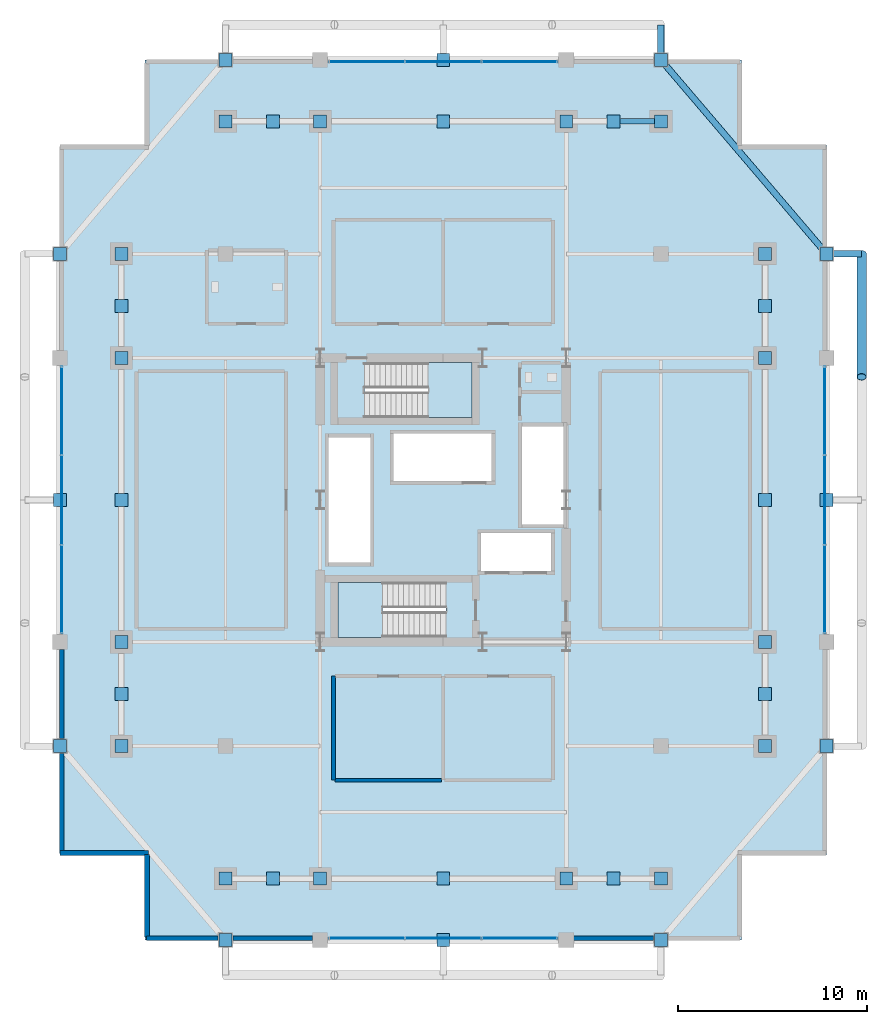
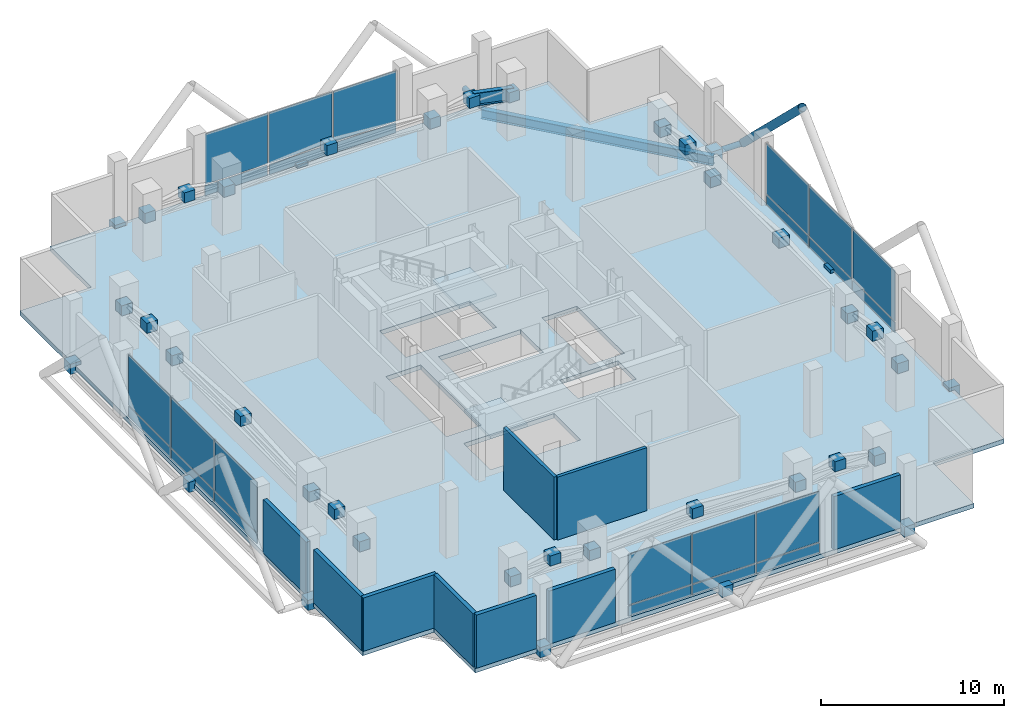
# One storey, part 18 of 22: 64 plates, 9 walls, 4 members, 3 slabs, 1 beam, 6 elements without a shape of their own.
"""IFC4 building model written with IfcOpenShell, lengths in metres."""

from ifc_helpers import new_model, si_unit, direction, frame, frame_2d, origin, origin_2d, place, context, subcontext, project, spatial, polyline, rectangle, hollow_circle, i_section, outline, extrude, material, layer, layer_set, material_profile, profile_set, type_object, element, aggregate, save


model = new_model("IFC4")

# Units and contexts
model_context = context("Model", 3, precision=1e-05, world=origin(), true_north=direction((0.0, 1.0)))
body_context = subcontext(model_context, "Body", "Model", "MODEL_VIEW")
ifc_project = project(units=[si_unit("LENGTHUNIT", "METRE"), si_unit("AREAUNIT", "SQUARE_METRE"), si_unit("VOLUMEUNIT", "CUBIC_METRE"), si_unit("PLANEANGLEUNIT", "RADIAN"), si_unit("MASSUNIT", "GRAM", prefix="KILO")], contexts=[model_context])

# Site, building, storey
site_placement = place(None, origin())
site = spatial("IfcSite", under=ifc_project, at=site_placement, CompositionType="ELEMENT")
building_placement = place(site_placement, origin())
building = spatial("IfcBuilding", under=site, at=building_placement, Name="Barlavira Tower and Art Museum", CompositionType="ELEMENT")
storey_placement = place(building_placement, frame((0.0, 0.0, 120.60009765625)))
storey = spatial("IfcBuildingStorey", under=building, at=storey_placement, Name="L30", CompositionType="ELEMENT", Elevation=120.60009765625)

# Members
ifc_material_1 = material(Name="Steel S355", Category="steel")
ifc_material_profile_1 = material_profile(ifc_material_1, i_section(OverallWidth=0.2939453125, OverallDepth=0.85107421875, WebThickness=0.017333984375, FlangeThickness=0.0283203125, at=origin_2d()), Name="W840x251.0")
ifc_profile_set_1 = profile_set([ifc_material_profile_1], Name="Steel S355")
member_type_1 = type_object("IfcMemberType", Name="Belt Truss Diagonal Brace W840x251 Steel S355", PredefinedType="BRACE", material=ifc_profile_set_1)
member_1_placement = place(storey_placement, frame((9.0, 20.0, 3.14990234375), z_axis=(0.980580675691, 0.0, -0.196116135138), x_axis=(0.0, 1.0, 0.0)))
element("IfcMember", 1, at=member_1_placement, inside=storey, type_object=member_type_1, Name="L30 Belt Truss Diagonal BN3-2", PredefinedType="BRACE", context=body_context, shape_type="SweptSolid", body=[
    extrude(i_section(OverallWidth=0.2939453125, OverallDepth=0.85107421875, WebThickness=0.017333984375, FlangeThickness=0.0283203125, at=origin_2d()), origin(), (0.0, 0.0, 1.0), 2.549560546875),
])
ifc_material_profile_2 = material_profile(ifc_material_1, hollow_circle(Radius=0.25390625, WallThickness=0.022216796875, at=origin_2d()), Name="CHS 508.0x22.2")
ifc_profile_set_2 = profile_set([ifc_material_profile_2], Name="Steel S355")
member_type_2 = type_object("IfcMemberType", Name="Pale-Metal Exoskeleton Diagrid Tube CHS 508x22 Steel S355", PredefinedType="BRACE", material=ifc_profile_set_2)
member_2_placement = place(storey_placement, frame((22.10009765625, 13.0, -0.1201171875), z_axis=(0.0, -0.718064979499, 0.695976066555), x_axis=(1.0, 0.0, 0.0)))
element("IfcMember", 2, at=member_2_placement, inside=storey, type_object=member_type_2, Name="L30 Exoskeleton Diagrid Tube E", PredefinedType="BRACE", context=body_context, shape_type="SweptSolid", body=[
    extrude(hollow_circle(Radius=0.25390625, WallThickness=0.022216796875, at=origin_2d()), origin(), (0.0, 0.0, 1.0), 9.052001953125),
])
ifc_material_profile_3 = material_profile(ifc_material_1, hollow_circle(Radius=0.177734375, WallThickness=0.01611328125, at=origin_2d()), Name="CHS 355.6x16.0")
ifc_profile_set_3 = profile_set([ifc_material_profile_3], Name="Steel S355")
member_type_3 = type_object("IfcMemberType", Name="Pale-Metal Exoskeleton Tie Strut CHS 356x16 Steel S355", PredefinedType="STRUT", material=ifc_profile_set_3)
for number, where, z_axis, x_axis, name in (
    (3, (11.5, 25.10009765625, -0.1201171875), (0.0, -1.0, 0.0), (1.0, 0.0, 0.0), "L30 Exoskeleton Tie Strut N3"),
    (4, (22.10009765625, 13.0, -0.1201171875), (-1.0, 0.0, 0.0), (0.0, -1.0, 0.0), "L30 Exoskeleton Tie Strut E3"),
):
    element("IfcMember", number, at=place(storey_placement, frame(where, z_axis=z_axis, x_axis=x_axis)), inside=storey, type_object=member_type_3, Name=name, PredefinedType="STRUT", context=body_context, shape_type="SweptSolid", body=[
        extrude(hollow_circle(Radius=0.177734375, WallThickness=0.01611328125, at=origin_2d()), origin(), (0.0, 0.0, 1.0), 1.85009765625),
    ])

# Beam
ifc_material_profile_4 = material_profile(ifc_material_1, i_section(OverallWidth=0.327880859375, OverallDepth=0.62890625, WebThickness=0.013916015625, FlangeThickness=0.021484375, at=origin_2d()), Name="W610x174.0")
ifc_profile_set_4 = profile_set([ifc_material_profile_4], Name="Steel S355")
beam_type = type_object("IfcBeamType", Name="Perimeter Spandrel Edge Beam W610x174 Steel S355", PredefinedType="SPANDREL", material=ifc_profile_set_4)
beam_placement = place(storey_placement, frame((20.25, 13.0, -0.614501953125), z_axis=(-0.649262379928, 0.760564502202, 0.0), x_axis=(-0.760564502202, -0.649262379928, 0.0)))
element("IfcBeam", 5, at=beam_placement, inside=storey, type_object=beam_type, Name="L30 Spandrel 8", PredefinedType="SPANDREL", context=body_context, shape_type="SweptSolid", body=[
    extrude(i_section(OverallWidth=0.327880859375, OverallDepth=0.62890625, WebThickness=0.013916015625, FlangeThickness=0.021484375, at=origin_2d()), origin(), (0.0, 0.0, 1.0), 13.476806640625),
])

# Curtain wall, plates
ifc_material_2 = material(Name="Low-iron coastal laminated glass", Category="glass")
ifc_layer_1 = layer(ifc_material_2, 0.18994140625, Name="Low-iron coastal laminated glass")
ifc_layer_set_1 = layer_set([ifc_layer_1], Name="Low-iron coastal laminated glass")
curtain_wall_type = type_object("IfcCurtainWallType", Name="Pale-Metal Unitised Curtain Wall Zone 2", PredefinedType="NOTDEFINED", material=ifc_layer_set_1)
curtain_wall_1_placement = place(storey_placement, origin())
curtain_wall_1 = element("IfcCurtainWall", 6, at=curtain_wall_1_placement, inside=storey, type_object=curtain_wall_type, Name="L30 Curtain Wall CW2-L30-S-B3", PredefinedType="NOTDEFINED")
ifc_material_3 = material(Name="Pale anodised aluminium", Category="aluminium")
ifc_layer_2 = layer(ifc_material_3, 0.044921875, Name="Pale anodised aluminium")
ifc_layer_set_2 = layer_set([ifc_layer_2], Name="Pale anodised aluminium")
plate_type_1 = type_object("IfcPlateType", Name="Curtain Wall Pale-Metal Spandrel Panel 45", PredefinedType="CURTAIN_PANEL", material=ifc_layer_set_2)
plate_1_placement = place(storey_placement, frame((-4.05322265625, -23.14990234375, 0.0400390625), z_axis=(0.0, 0.0, 1.0), x_axis=(1.0, 0.0, 0.0)))
plate_1 = element("IfcPlate", 7, at=plate_1_placement, type_object=plate_type_1, Name="CW2-L30-S-B3 Spandrel Panel 0", PredefinedType="CURTAIN_PANEL", context=body_context, shape_type="SweptSolid", body=[
    extrude(rectangle(XDim=3.953369140625, YDim=0.044921875, at=origin_2d()), origin(), (0.0, 0.0, 1.0), 0.669921875),
])
plate_2_placement = place(storey_placement, frame((0.0, -23.14990234375, 0.0400390625), z_axis=(0.0, 0.0, 1.0), x_axis=(1.0, 0.0, 0.0)))
plate_2 = element("IfcPlate", 8, at=plate_2_placement, type_object=plate_type_1, Name="CW2-L30-S-B3 Spandrel Panel 1", PredefinedType="CURTAIN_PANEL", context=body_context, shape_type="SweptSolid", body=[
    extrude(rectangle(XDim=3.953369140625, YDim=0.044921875, at=origin_2d()), origin(), (0.0, 0.0, 1.0), 0.669921875),
])
plate_3_placement = place(storey_placement, frame((4.05322265625, -23.14990234375, 0.0400390625), z_axis=(0.0, 0.0, 1.0), x_axis=(1.0, 0.0, 0.0)))
plate_3 = element("IfcPlate", 9, at=plate_3_placement, type_object=plate_type_1, Name="CW2-L30-S-B3 Spandrel Panel 2", PredefinedType="CURTAIN_PANEL", context=body_context, shape_type="SweptSolid", body=[
    extrude(rectangle(XDim=3.953369140625, YDim=0.044921875, at=origin_2d()), origin(), (0.0, 0.0, 1.0), 0.669921875),
])

curtain_wall_2_placement = place(storey_placement, origin())
curtain_wall_2 = element("IfcCurtainWall", 10, at=curtain_wall_2_placement, inside=storey, type_object=curtain_wall_type, Name="L30 Curtain Wall CW2-L30-N-B3", PredefinedType="NOTDEFINED")
plate_4_placement = place(storey_placement, frame((4.05322265625, 23.14990234375, 0.0400390625), z_axis=(0.0, 0.0, 1.0), x_axis=(-1.0, 0.0, 0.0)))
plate_4 = element("IfcPlate", 11, at=plate_4_placement, type_object=plate_type_1, Name="CW2-L30-N-B3 Spandrel Panel 0", PredefinedType="CURTAIN_PANEL", context=body_context, shape_type="SweptSolid", body=[
    extrude(rectangle(XDim=3.953369140625, YDim=0.044921875, at=origin_2d()), origin(), (0.0, 0.0, 1.0), 0.669921875),
])
plate_5_placement = place(storey_placement, frame((0.0, 23.14990234375, 0.0400390625), z_axis=(0.0, 0.0, 1.0), x_axis=(-1.0, 0.0, 0.0)))
plate_5 = element("IfcPlate", 12, at=plate_5_placement, type_object=plate_type_1, Name="CW2-L30-N-B3 Spandrel Panel 1", PredefinedType="CURTAIN_PANEL", context=body_context, shape_type="SweptSolid", body=[
    extrude(rectangle(XDim=3.953369140625, YDim=0.044921875, at=origin_2d()), origin(), (0.0, 0.0, 1.0), 0.669921875),
])
plate_6_placement = place(storey_placement, frame((-4.05322265625, 23.14990234375, 0.0400390625), z_axis=(0.0, 0.0, 1.0), x_axis=(-1.0, 0.0, 0.0)))
plate_6 = element("IfcPlate", 13, at=plate_6_placement, type_object=plate_type_1, Name="CW2-L30-N-B3 Spandrel Panel 2", PredefinedType="CURTAIN_PANEL", context=body_context, shape_type="SweptSolid", body=[
    extrude(rectangle(XDim=3.953369140625, YDim=0.044921875, at=origin_2d()), origin(), (0.0, 0.0, 1.0), 0.669921875),
])

curtain_wall_3_placement = place(storey_placement, origin())
curtain_wall_3 = element("IfcCurtainWall", 14, at=curtain_wall_3_placement, inside=storey, type_object=curtain_wall_type, Name="L30 Curtain Wall CW2-L30-W-B3", PredefinedType="NOTDEFINED")
plate_7_placement = place(storey_placement, frame((-20.14990234375, 4.719970703125, 0.0400390625), z_axis=(0.0, 0.0, 1.0), x_axis=(0.0, -1.0, 0.0)))
plate_7 = element("IfcPlate", 15, at=plate_7_placement, type_object=plate_type_1, Name="CW2-L30-W-B3 Spandrel Panel 0", PredefinedType="CURTAIN_PANEL", context=body_context, shape_type="SweptSolid", body=[
    extrude(rectangle(XDim=4.6201171875, YDim=0.044921875, at=origin_2d()), origin(), (0.0, 0.0, 1.0), 0.669921875),
])
plate_8_placement = place(storey_placement, frame((-20.14990234375, 0.0, 0.0400390625), z_axis=(0.0, 0.0, 1.0), x_axis=(0.0, -1.0, 0.0)))
plate_8 = element("IfcPlate", 16, at=plate_8_placement, type_object=plate_type_1, Name="CW2-L30-W-B3 Spandrel Panel 1", PredefinedType="CURTAIN_PANEL", context=body_context, shape_type="SweptSolid", body=[
    extrude(rectangle(XDim=4.6201171875, YDim=0.044921875, at=origin_2d()), origin(), (0.0, 0.0, 1.0), 0.669921875),
])
plate_9_placement = place(storey_placement, frame((-20.14990234375, -4.719970703125, 0.0400390625), z_axis=(0.0, 0.0, 1.0), x_axis=(0.0, -1.0, 0.0)))
plate_9 = element("IfcPlate", 17, at=plate_9_placement, type_object=plate_type_1, Name="CW2-L30-W-B3 Spandrel Panel 2", PredefinedType="CURTAIN_PANEL", context=body_context, shape_type="SweptSolid", body=[
    extrude(rectangle(XDim=4.6201171875, YDim=0.044921875, at=origin_2d()), origin(), (0.0, 0.0, 1.0), 0.669921875),
])

curtain_wall_4_placement = place(storey_placement, origin())
curtain_wall_4 = element("IfcCurtainWall", 18, at=curtain_wall_4_placement, inside=storey, type_object=curtain_wall_type, Name="L30 Curtain Wall CW2-L30-E-B3", PredefinedType="NOTDEFINED")
plate_10_placement = place(storey_placement, frame((20.14990234375, -4.719970703125, 0.0400390625), z_axis=(0.0, 0.0, 1.0), x_axis=(0.0, 1.0, 0.0)))
plate_10 = element("IfcPlate", 19, at=plate_10_placement, type_object=plate_type_1, Name="CW2-L30-E-B3 Spandrel Panel 0", PredefinedType="CURTAIN_PANEL", context=body_context, shape_type="SweptSolid", body=[
    extrude(rectangle(XDim=4.6201171875, YDim=0.044921875, at=origin_2d()), origin(), (0.0, 0.0, 1.0), 0.669921875),
])
plate_11_placement = place(storey_placement, frame((20.14990234375, 0.0, 0.0400390625), z_axis=(0.0, 0.0, 1.0), x_axis=(0.0, 1.0, 0.0)))
plate_11 = element("IfcPlate", 20, at=plate_11_placement, type_object=plate_type_1, Name="CW2-L30-E-B3 Spandrel Panel 1", PredefinedType="CURTAIN_PANEL", context=body_context, shape_type="SweptSolid", body=[
    extrude(rectangle(XDim=4.6201171875, YDim=0.044921875, at=origin_2d()), origin(), (0.0, 0.0, 1.0), 0.669921875),
])
plate_12_placement = place(storey_placement, frame((20.14990234375, 4.719970703125, 0.0400390625), z_axis=(0.0, 0.0, 1.0), x_axis=(0.0, 1.0, 0.0)))
plate_12 = element("IfcPlate", 21, at=plate_12_placement, type_object=plate_type_1, Name="CW2-L30-E-B3 Spandrel Panel 2", PredefinedType="CURTAIN_PANEL", context=body_context, shape_type="SweptSolid", body=[
    extrude(rectangle(XDim=4.6201171875, YDim=0.044921875, at=origin_2d()), origin(), (0.0, 0.0, 1.0), 0.669921875),
])

# Plate
ifc_layer_3 = layer(ifc_material_2, 0.028076171875, Name="Low-iron coastal laminated glass")
ifc_layer_set_3 = layer_set([ifc_layer_3], Name="Low-iron coastal laminated glass")
plate_type_2 = type_object("IfcPlateType", Name="Curtain Wall Vision Glazing Panel 28", PredefinedType="CURTAIN_PANEL", material=ifc_layer_set_3)
plate_13_placement = place(storey_placement, frame((-4.05322265625, -23.14990234375, 0.789794921875), z_axis=(0.0, 0.0, 1.0), x_axis=(1.0, 0.0, 0.0)))
plate_13 = element("IfcPlate", 22, at=plate_13_placement, type_object=plate_type_2, Name="CW2-L30-S-B3 Vision Glass Panel 0", PredefinedType="CURTAIN_PANEL", context=body_context, shape_type="SweptSolid", body=[
    extrude(rectangle(XDim=3.953369140625, YDim=0.028076171875, at=origin_2d()), origin(), (0.0, 0.0, 1.0), 3.3701171875),
])

plate_14_placement = place(storey_placement, frame((0.0, -23.14990234375, 0.789794921875), z_axis=(0.0, 0.0, 1.0), x_axis=(1.0, 0.0, 0.0)))
plate_14 = element("IfcPlate", 23, at=plate_14_placement, type_object=plate_type_2, Name="CW2-L30-S-B3 Vision Glass Panel 1", PredefinedType="CURTAIN_PANEL", context=body_context, shape_type="SweptSolid", body=[
    extrude(rectangle(XDim=3.953369140625, YDim=0.028076171875, at=origin_2d()), origin(), (0.0, 0.0, 1.0), 3.3701171875),
])

plate_15_placement = place(storey_placement, frame((4.05322265625, -23.14990234375, 0.789794921875), z_axis=(0.0, 0.0, 1.0), x_axis=(1.0, 0.0, 0.0)))
plate_15 = element("IfcPlate", 24, at=plate_15_placement, type_object=plate_type_2, Name="CW2-L30-S-B3 Vision Glass Panel 2", PredefinedType="CURTAIN_PANEL", context=body_context, shape_type="SweptSolid", body=[
    extrude(rectangle(XDim=3.953369140625, YDim=0.028076171875, at=origin_2d()), origin(), (0.0, 0.0, 1.0), 3.3701171875),
])

aggregate(curtain_wall_1, [plate_1, plate_13, plate_2, plate_14, plate_3, plate_15])

plate_16_placement = place(storey_placement, frame((4.05322265625, 23.14990234375, 0.789794921875), z_axis=(0.0, 0.0, 1.0), x_axis=(-1.0, 0.0, 0.0)))
plate_16 = element("IfcPlate", 25, at=plate_16_placement, type_object=plate_type_2, Name="CW2-L30-N-B3 Vision Glass Panel 0", PredefinedType="CURTAIN_PANEL", context=body_context, shape_type="SweptSolid", body=[
    extrude(rectangle(XDim=3.953369140625, YDim=0.028076171875, at=origin_2d()), origin(), (0.0, 0.0, 1.0), 3.3701171875),
])

plate_17_placement = place(storey_placement, frame((0.0, 23.14990234375, 0.789794921875), z_axis=(0.0, 0.0, 1.0), x_axis=(-1.0, 0.0, 0.0)))
plate_17 = element("IfcPlate", 26, at=plate_17_placement, type_object=plate_type_2, Name="CW2-L30-N-B3 Vision Glass Panel 1", PredefinedType="CURTAIN_PANEL", context=body_context, shape_type="SweptSolid", body=[
    extrude(rectangle(XDim=3.953369140625, YDim=0.028076171875, at=origin_2d()), origin(), (0.0, 0.0, 1.0), 3.3701171875),
])

plate_18_placement = place(storey_placement, frame((-4.05322265625, 23.14990234375, 0.789794921875), z_axis=(0.0, 0.0, 1.0), x_axis=(-1.0, 0.0, 0.0)))
plate_18 = element("IfcPlate", 27, at=plate_18_placement, type_object=plate_type_2, Name="CW2-L30-N-B3 Vision Glass Panel 2", PredefinedType="CURTAIN_PANEL", context=body_context, shape_type="SweptSolid", body=[
    extrude(rectangle(XDim=3.953369140625, YDim=0.028076171875, at=origin_2d()), origin(), (0.0, 0.0, 1.0), 3.3701171875),
])

aggregate(curtain_wall_2, [plate_4, plate_16, plate_5, plate_17, plate_6, plate_18])

plate_19_placement = place(storey_placement, frame((-20.14990234375, 4.719970703125, 0.789794921875), z_axis=(0.0, 0.0, 1.0), x_axis=(0.0, -1.0, 0.0)))
plate_19 = element("IfcPlate", 28, at=plate_19_placement, type_object=plate_type_2, Name="CW2-L30-W-B3 Vision Glass Panel 0", PredefinedType="CURTAIN_PANEL", context=body_context, shape_type="SweptSolid", body=[
    extrude(rectangle(XDim=4.6201171875, YDim=0.028076171875, at=origin_2d()), origin(), (0.0, 0.0, 1.0), 3.3701171875),
])

plate_20_placement = place(storey_placement, frame((-20.14990234375, 0.0, 0.789794921875), z_axis=(0.0, 0.0, 1.0), x_axis=(0.0, -1.0, 0.0)))
plate_20 = element("IfcPlate", 29, at=plate_20_placement, type_object=plate_type_2, Name="CW2-L30-W-B3 Vision Glass Panel 1", PredefinedType="CURTAIN_PANEL", context=body_context, shape_type="SweptSolid", body=[
    extrude(rectangle(XDim=4.6201171875, YDim=0.028076171875, at=origin_2d()), origin(), (0.0, 0.0, 1.0), 3.3701171875),
])

plate_21_placement = place(storey_placement, frame((-20.14990234375, -4.719970703125, 0.789794921875), z_axis=(0.0, 0.0, 1.0), x_axis=(0.0, -1.0, 0.0)))
plate_21 = element("IfcPlate", 30, at=plate_21_placement, type_object=plate_type_2, Name="CW2-L30-W-B3 Vision Glass Panel 2", PredefinedType="CURTAIN_PANEL", context=body_context, shape_type="SweptSolid", body=[
    extrude(rectangle(XDim=4.6201171875, YDim=0.028076171875, at=origin_2d()), origin(), (0.0, 0.0, 1.0), 3.3701171875),
])

aggregate(curtain_wall_3, [plate_7, plate_19, plate_8, plate_20, plate_9, plate_21])

plate_22_placement = place(storey_placement, frame((20.14990234375, -4.719970703125, 0.789794921875), z_axis=(0.0, 0.0, 1.0), x_axis=(0.0, 1.0, 0.0)))
plate_22 = element("IfcPlate", 31, at=plate_22_placement, type_object=plate_type_2, Name="CW2-L30-E-B3 Vision Glass Panel 0", PredefinedType="CURTAIN_PANEL", context=body_context, shape_type="SweptSolid", body=[
    extrude(rectangle(XDim=4.6201171875, YDim=0.028076171875, at=origin_2d()), origin(), (0.0, 0.0, 1.0), 3.3701171875),
])

plate_23_placement = place(storey_placement, frame((20.14990234375, 0.0, 0.789794921875), z_axis=(0.0, 0.0, 1.0), x_axis=(0.0, 1.0, 0.0)))
plate_23 = element("IfcPlate", 32, at=plate_23_placement, type_object=plate_type_2, Name="CW2-L30-E-B3 Vision Glass Panel 1", PredefinedType="CURTAIN_PANEL", context=body_context, shape_type="SweptSolid", body=[
    extrude(rectangle(XDim=4.6201171875, YDim=0.028076171875, at=origin_2d()), origin(), (0.0, 0.0, 1.0), 3.3701171875),
])

plate_24_placement = place(storey_placement, frame((20.14990234375, 4.719970703125, 0.789794921875), z_axis=(0.0, 0.0, 1.0), x_axis=(0.0, 1.0, 0.0)))
plate_24 = element("IfcPlate", 33, at=plate_24_placement, type_object=plate_type_2, Name="CW2-L30-E-B3 Vision Glass Panel 2", PredefinedType="CURTAIN_PANEL", context=body_context, shape_type="SweptSolid", body=[
    extrude(rectangle(XDim=4.6201171875, YDim=0.028076171875, at=origin_2d()), origin(), (0.0, 0.0, 1.0), 3.3701171875),
])

aggregate(curtain_wall_4, [plate_10, plate_22, plate_11, plate_23, plate_12, plate_24])

# Plates
ifc_layer_4 = layer(ifc_material_1, 0.679931640625, Name="Steel S355")
ifc_layer_set_4 = layer_set([ifc_layer_4], Name="Steel S355")
plate_type_3 = type_object("IfcPlateType", Name="Exoskeleton Tie-Back Solid Cap Plate Assembly Type 5 Steel S355", PredefinedType="USERDEFINED", material=ifc_layer_set_4)
for number, where, z_axis, x_axis, name in (
    (34, (-11.5, -20.0, 2.31005859375), (0.0, 0.0, 1.0), (1.0, 0.0, 0.0), "L30 Belt Truss BS1 Gusset Plate 61"),
    (35, (-6.5, -20.0, 2.31005859375), (0.0, 0.0, 1.0), (1.0, 0.0, 0.0), "L30 Belt Truss BS1 Gusset Plate 62"),
    (36, (-9.0, -20.0, 2.81005859375), (0.0, 0.0, 1.0), (1.0, 0.0, 0.0), "L30 Belt Truss BS1 Gusset Plate 63"),
    (37, (6.5, -20.0, 2.31005859375), (0.0, 0.0, 1.0), (1.0, 0.0, 0.0), "L30 Belt Truss BS2 Gusset Plate 64"),
    (38, (0.0, -20.0, 2.81005859375), (0.0, 0.0, 1.0), (1.0, 0.0, 0.0), "L30 Belt Truss BS2 Gusset Plate 65"),
    (39, (11.5, -20.0, 2.31005859375), (0.0, 0.0, 1.0), (1.0, 0.0, 0.0), "L30 Belt Truss BS3 Gusset Plate 66"),
    (40, (9.0, -20.0, 2.81005859375), (0.0, 0.0, 1.0), (1.0, 0.0, 0.0), "L30 Belt Truss BS3 Gusset Plate 67"),
    (41, (-11.5, 20.0, 2.31005859375), (0.0, 0.0, 1.0), (1.0, 0.0, 0.0), "L30 Belt Truss BN1 Gusset Plate 68"),
    (42, (-6.5, 20.0, 2.31005859375), (0.0, 0.0, 1.0), (1.0, 0.0, 0.0), "L30 Belt Truss BN1 Gusset Plate 69"),
    (43, (-9.0, 20.0, 2.81005859375), (0.0, 0.0, 1.0), (1.0, 0.0, 0.0), "L30 Belt Truss BN1 Gusset Plate 70"),
    (44, (6.5, 20.0, 2.31005859375), (0.0, 0.0, 1.0), (1.0, 0.0, 0.0), "L30 Belt Truss BN2 Gusset Plate 71"),
    (45, (0.0, 20.0, 2.81005859375), (0.0, 0.0, 1.0), (1.0, 0.0, 0.0), "L30 Belt Truss BN2 Gusset Plate 72"),
    (46, (11.5, 20.0, 2.31005859375), (0.0, 0.0, 1.0), (1.0, 0.0, 0.0), "L30 Belt Truss BN3 Gusset Plate 73"),
    (47, (9.0, 20.0, 2.81005859375), (0.0, 0.0, 1.0), (1.0, 0.0, 0.0), "L30 Belt Truss BN3 Gusset Plate 74"),
    (48, (-17.0, -13.0, 2.31005859375), (0.0, 0.0, 1.0), (1.0, 0.0, 0.0), "L30 Belt Truss BW1 Gusset Plate 75"),
    (49, (-17.0, -7.5, 2.31005859375), (0.0, 0.0, 1.0), (1.0, 0.0, 0.0), "L30 Belt Truss BW1 Gusset Plate 76"),
    (50, (-17.0, -10.25, 2.81005859375), (0.0, 0.0, 1.0), (1.0, 0.0, 0.0), "L30 Belt Truss BW1 Gusset Plate 77"),
    (51, (-17.0, 7.5, 2.31005859375), (0.0, 0.0, 1.0), (1.0, 0.0, 0.0), "L30 Belt Truss BW2 Gusset Plate 78"),
    (52, (-17.0, 0.0, 2.81005859375), (0.0, 0.0, 1.0), (1.0, 0.0, 0.0), "L30 Belt Truss BW2 Gusset Plate 79"),
    (53, (-17.0, 13.0, 2.31005859375), (0.0, 0.0, 1.0), (1.0, 0.0, 0.0), "L30 Belt Truss BW3 Gusset Plate 80"),
    (54, (-17.0, 10.25, 2.81005859375), (0.0, 0.0, 1.0), (1.0, 0.0, 0.0), "L30 Belt Truss BW3 Gusset Plate 81"),
    (55, (17.0, -13.0, 2.31005859375), (0.0, 0.0, 1.0), (1.0, 0.0, 0.0), "L30 Belt Truss BE1 Gusset Plate 82"),
    (56, (17.0, -7.5, 2.31005859375), (0.0, 0.0, 1.0), (1.0, 0.0, 0.0), "L30 Belt Truss BE1 Gusset Plate 83"),
    (57, (17.0, -10.25, 2.81005859375), (0.0, 0.0, 1.0), (1.0, 0.0, 0.0), "L30 Belt Truss BE1 Gusset Plate 84"),
    (58, (17.0, 7.5, 2.31005859375), (0.0, 0.0, 1.0), (1.0, 0.0, 0.0), "L30 Belt Truss BE2 Gusset Plate 85"),
    (59, (17.0, 0.0, 2.81005859375), (0.0, 0.0, 1.0), (1.0, 0.0, 0.0), "L30 Belt Truss BE2 Gusset Plate 86"),
    (60, (17.0, 13.0, 2.31005859375), (0.0, 0.0, 1.0), (1.0, 0.0, 0.0), "L30 Belt Truss BE3 Gusset Plate 87"),
    (61, (17.0, 10.25, 2.81005859375), (0.0, 0.0, 1.0), (1.0, 0.0, 0.0), "L30 Belt Truss BE3 Gusset Plate 88"),
    (62, (-11.5, -23.25, -0.4599609375), (0.0, 0.0, 1.0), (1.0, 0.0, 0.0), "Slab Edge Tie Cap Plate S1 ND-L30-0318"),
    (63, (0.0, -23.25, -0.4599609375), (0.0, 0.0, 1.0), (1.0, 0.0, 0.0), "Slab Edge Tie Cap Plate S2 ND-L30-0319"),
    (64, (11.5, -23.25, -0.4599609375), (0.0, 0.0, 1.0), (1.0, 0.0, 0.0), "Slab Edge Tie Cap Plate S3 ND-L30-0320"),
    (65, (-11.5, 23.25, -0.4599609375), (0.0, 0.0, 1.0), (1.0, 0.0, 0.0), "Slab Edge Tie Cap Plate N1 ND-L30-0326"),
    (66, (0.0, 23.25, -0.4599609375), (0.0, 0.0, 1.0), (1.0, 0.0, 0.0), "Slab Edge Tie Cap Plate N2 ND-L30-0327"),
    (67, (11.5, 23.25, -0.4599609375), (0.0, 0.0, 1.0), (1.0, 0.0, 0.0), "Slab Edge Tie Cap Plate N3 ND-L30-0328"),
    (68, (-20.25, -13.0, -0.4599609375), (0.0, 0.0, 1.0), (1.0, 0.0, 0.0), "Slab Edge Tie Cap Plate W1 ND-L30-0334"),
    (69, (-20.25, 0.0, -0.4599609375), (0.0, 0.0, 1.0), (1.0, 0.0, 0.0), "Slab Edge Tie Cap Plate W2 ND-L30-0335"),
    (70, (-20.25, 13.0, -0.4599609375), (0.0, 0.0, 1.0), (1.0, 0.0, 0.0), "Slab Edge Tie Cap Plate W3 ND-L30-0336"),
    (71, (20.25, -13.0, -0.4599609375), (0.0, 0.0, 1.0), (1.0, 0.0, 0.0), "Slab Edge Tie Cap Plate E1 ND-L30-0342"),
    (72, (20.25, 0.0, -0.4599609375), (0.0, 0.0, 1.0), (1.0, 0.0, 0.0), "Slab Edge Tie Cap Plate E2 ND-L30-0343"),
    (73, (20.25, 13.0, -0.4599609375), (0.0, 0.0, 1.0), (1.0, 0.0, 0.0), "Slab Edge Tie Cap Plate E3 ND-L30-0344"),
):
    element("IfcPlate", number, at=place(storey_placement, frame(where, z_axis=z_axis, x_axis=x_axis)), inside=storey, type_object=plate_type_3, Name=name, ObjectType="FLANGE_PLATE", PredefinedType="USERDEFINED", context=body_context, shape_type="SweptSolid", body=[
        extrude(rectangle(XDim=0.679931640625, YDim=0.679931640625, at=origin_2d()), origin(), (0.0, 0.0, 1.0), 0.679931640625),
    ])

# Slab
ifc_material_4 = material(Name="Concrete C55", Category="concrete")
ifc_layer_5 = layer(ifc_material_4, 0.300048828125, Name="Concrete C55")
ifc_layer_set_5 = layer_set([ifc_layer_5], Name="Concrete C55")
slab_type_1 = type_object("IfcSlabType", Name="Sky-Lobby and Wind-Refuge Heavy Slab 300 Concrete C55", PredefinedType="FLOOR", material=ifc_layer_set_5)
slab_1_placement = place(storey_placement, frame((0.0, 0.0, -0.300048828125)))
element("IfcSlab", 74, at=slab_1_placement, inside=storey, type_object=slab_type_1, Name="L30 Tower Floor Slab", PredefinedType="FLOOR", context=body_context, shape_type="SweptSolid", body=[
    extrude(outline(polyline([(-15.75, -23.25), (15.75, -23.25), (15.75, -18.75), (20.25, -18.75), (20.25, 18.75), (15.75, 18.75), (15.75, 23.25), (-15.75, 23.25), (-15.75, 18.75), (-20.25, 18.75), (-20.25, -18.75), (-15.75, -18.75), (-15.75, -23.25)]), holes=[polyline([(0.14990234375, -4.35009765625), (-5.550048828125, -4.35009765625), (-5.550048828125, -7.25), (0.14990234375, -7.25), (0.14990234375, -4.35009765625)]), polyline([(-4.169921875, 4.35009765625), (1.530029296875, 4.35009765625), (1.530029296875, 7.25), (-4.169921875, 7.25), (-4.169921875, 4.35009765625)]), polyline([(-6.050048828125, -3.31005859375), (-3.85009765625, -3.31005859375), (-3.85009765625, 3.31005859375), (-6.050048828125, 3.31005859375), (-6.050048828125, -3.31005859375)]), polyline([(4.14990234375, -1.2900390625), (6.35009765625, -1.2900390625), (6.35009765625, 3.889892578125), (4.14990234375, 3.889892578125), (4.14990234375, -1.2900390625)]), polyline([(-2.6201171875, 1.0), (2.56005859375, 1.0), (2.56005859375, 3.5), (-2.6201171875, 3.5), (-2.6201171875, 1.0)]), polyline([(2.0, -3.75), (5.699951171875, -3.75), (5.699951171875, -1.75), (2.0, -1.75), (2.0, -3.75)])]), origin(), (0.0, 0.0, 1.0), 0.300048828125),
])

# Stair, slab
ifc_material_5 = material(Name="Concrete C45", Category="concrete")
stair_type_1 = type_object("IfcStairType", Name="Tower North Dog-Leg Exit Stair Assembly Concrete C45", PredefinedType="TWO_QUARTER_TURN_STAIR", material=ifc_material_5)
stair_1_placement = place(storey_placement, origin())
stair_1 = element("IfcStair", 75, at=stair_1_placement, inside=storey, type_object=stair_type_1, Name="L30 Tower North Exit Stair ST-T2", PredefinedType="TWO_QUARTER_TURN_STAIR")
ifc_layer_6 = layer(ifc_material_5, 0.199951171875, Name="Concrete C45")
ifc_layer_set_6 = layer_set([ifc_layer_6], Name="Concrete C45")
slab_type_2 = type_object("IfcSlabType", Name="Tower North Dog-Leg Exit Stair Half-Landing Slab 200 Concrete C45", PredefinedType="LANDING", material=ifc_layer_set_6)
slab_2_placement = place(storey_placement, frame((0.0, 0.0, 2.0498046875)))
slab_2 = element("IfcSlab", 76, at=slab_2_placement, type_object=slab_type_2, Name="ST-T2 landing 1", PredefinedType="LANDING", context=body_context, shape_type="SweptSolid", body=[
    extrude(outline(polyline([(-0.81005859375, 4.35009765625), (1.530029296875, 4.35009765625), (1.530029296875, 7.25), (-0.81005859375, 7.25), (-0.81005859375, 4.35009765625)])), origin(), (0.0, 0.0, 1.0), 0.2001953125),
])
aggregate(stair_1, [slab_2])

stair_type_2 = type_object("IfcStairType", Name="Tower South Dog-Leg Exit Stair Assembly Concrete C45", PredefinedType="TWO_QUARTER_TURN_STAIR", material=ifc_material_5)
stair_2_placement = place(storey_placement, origin())
stair_2 = element("IfcStair", 77, at=stair_2_placement, inside=storey, type_object=stair_type_2, Name="L30 Tower South Exit Stair ST-T1", PredefinedType="TWO_QUARTER_TURN_STAIR")
ifc_layer_7 = layer(ifc_material_5, 0.199951171875, Name="Concrete C45")
ifc_layer_set_7 = layer_set([ifc_layer_7], Name="Concrete C45")
slab_type_3 = type_object("IfcSlabType", Name="Tower South Dog-Leg Exit Stair Half-Landing Slab 200 Concrete C45", PredefinedType="LANDING", material=ifc_layer_set_7)
slab_3_placement = place(storey_placement, frame((0.0, 0.0, 2.0498046875)))
slab_3 = element("IfcSlab", 78, at=slab_3_placement, type_object=slab_type_3, Name="ST-T1 landing 1", PredefinedType="LANDING", context=body_context, shape_type="SweptSolid", body=[
    extrude(outline(polyline([(-3.2099609375, -4.35009765625), (-5.550048828125, -4.35009765625), (-5.550048828125, -7.25), (-3.2099609375, -7.25), (-3.2099609375, -4.35009765625)])), origin(), (0.0, 0.0, 1.0), 0.2001953125),
])
aggregate(stair_2, [slab_3])

# Walls
ifc_material_6 = material(Name="Autoclaved aerated concrete masonry", Category="masonry")
ifc_layer_8 = layer(ifc_material_6, 0.199951171875, Name="Autoclaved aerated concrete masonry")
ifc_layer_set_8 = layer_set([ifc_layer_8], Name="Autoclaved aerated concrete masonry")
wall_type_1 = type_object("IfcWallType", Name="Fire Compartment and Shaft Wall 200", PredefinedType="SOLIDWALL", material=ifc_layer_set_8)
wall_1_placement = place(storey_placement, frame((-5.800048828125, -14.800048828125, 0.0), z_axis=(0.0, 0.0, 1.0), x_axis=(0.0, 1.0, 0.0)))
element("IfcWall", 79, at=wall_1_placement, inside=storey, type_object=wall_type_1, Name="L30 Partition Wall 5", PredefinedType="SOLIDWALL", context=body_context, shape_type="SweptSolid", body=[
    extrude(rectangle(XDim=5.5, YDim=0.199951171875, at=frame_2d((2.75, 0.0))), origin(), (0.0, 0.0, 1.0), 4.199951171875),
])
wall_2_placement = place(storey_placement, frame((-5.719970703125, -14.800048828125, 0.0), z_axis=(0.0, 0.0, 1.0), x_axis=(1.0, 0.0, 0.0)))
element("IfcWall", 80, at=wall_2_placement, inside=storey, type_object=wall_type_1, Name="L30 Partition Wall 14", PredefinedType="SOLIDWALL", context=body_context, shape_type="SweptSolid", body=[
    extrude(rectangle(XDim=5.639892578125, YDim=0.199951171875, at=frame_2d((2.81982421875, 0.0))), origin(), (0.0, 0.0, 1.0), 4.199951171875),
])
ifc_material_7 = material(Name="Precast concrete C40", Category="concrete")
ifc_layer_9 = layer(ifc_material_7, 0.25, Name="Precast concrete C40")
ifc_layer_set_9 = layer_set([ifc_layer_9], Name="Precast concrete C40")
wall_type_2 = type_object("IfcWallType", Name="Notched Corner Spandrel Wall 250 Precast Concrete C40", PredefinedType="SOLIDWALL", material=ifc_layer_set_9)
wall_3_placement = place(storey_placement, frame((-15.675048828125, -23.14990234375, 0.0), z_axis=(0.0, 0.0, 1.0), x_axis=(1.0, 0.0, 0.0)))
element("IfcWall", 81, at=wall_3_placement, inside=storey, type_object=wall_type_2, Name="L30 Coastal Facade Pier Wall CW2-L30-S-1", PredefinedType="SOLIDWALL", context=body_context, shape_type="SweptSolid", body=[
    extrude(rectangle(XDim=3.780029296875, YDim=0.25, at=frame_2d((1.89013671875, 0.0))), origin(), (0.0, 0.0, 1.0), 3.555908203125),
])
for number, where, z_axis, x_axis, name in (
    (82, (-11.10498046875, -23.14990234375, 0.0), (0.0, 0.0, 1.0), (1.0, 0.0, 0.0), "L30 Coastal Facade Pier Wall CW2-L30-S-2"),
    (83, (6.89501953125, -23.14990234375, 0.0), (0.0, 0.0, 1.0), (1.0, 0.0, 0.0), "L30 Coastal Facade Pier Wall CW2-L30-S-4"),
):
    element("IfcWall", number, at=place(storey_placement, frame(where, z_axis=z_axis, x_axis=x_axis)), inside=storey, type_object=wall_type_2, Name=name, PredefinedType="SOLIDWALL", context=body_context, shape_type="SweptSolid", body=[
        extrude(rectangle(XDim=4.2099609375, YDim=0.25, at=frame_2d((2.10498046875, 0.0))), origin(), (0.0, 0.0, 1.0), 3.555908203125),
    ])
wall_4_placement = place(storey_placement, frame((-20.14990234375, -7.89501953125, 0.0), z_axis=(0.0, 0.0, 1.0), x_axis=(0.0, -1.0, 0.0)))
element("IfcWall", 84, at=wall_4_placement, inside=storey, type_object=wall_type_2, Name="L30 Coastal Facade Pier Wall CW2-L30-W-4", PredefinedType="SOLIDWALL", context=body_context, shape_type="SweptSolid", body=[
    extrude(rectangle(XDim=4.7099609375, YDim=0.25, at=frame_2d((2.35498046875, 0.0))), origin(), (0.0, 0.0, 1.0), 3.555908203125),
])
wall_5_placement = place(storey_placement, frame((-20.14990234375, -13.39501953125, 0.0), z_axis=(0.0, 0.0, 1.0), x_axis=(0.0, -1.0, 0.0)))
element("IfcWall", 85, at=wall_5_placement, inside=storey, type_object=wall_type_2, Name="L30 Coastal Facade Pier Wall CW2-L30-W-5", PredefinedType="SOLIDWALL", context=body_context, shape_type="SweptSolid", body=[
    extrude(rectangle(XDim=5.280029296875, YDim=0.25, at=frame_2d((2.64013671875, 0.0))), origin(), (0.0, 0.0, 1.0), 3.555908203125),
])
wall_6_placement = place(storey_placement, frame((-20.22998046875, -18.64990234375, 0.0), z_axis=(0.0, 0.0, 1.0), x_axis=(1.0, 0.0, 0.0)))
element("IfcWall", 86, at=wall_6_placement, inside=storey, type_object=wall_type_2, Name="L30 Notch Corner Wall SW1", PredefinedType="SOLIDWALL", context=body_context, shape_type="SweptSolid", body=[
    extrude(rectangle(XDim=4.659912109375, YDim=0.25, at=frame_2d((2.330078125, 0.0))), origin(), (0.0, 0.0, 1.0), 3.555908203125),
])
wall_7_placement = place(storey_placement, frame((-15.64990234375, -18.72998046875, 0.0), z_axis=(0.0, 0.0, 1.0), x_axis=(0.0, -1.0, 0.0)))
element("IfcWall", 87, at=wall_7_placement, inside=storey, type_object=wall_type_2, Name="L30 Notch Corner Wall SW2", PredefinedType="SOLIDWALL", context=body_context, shape_type="SweptSolid", body=[
    extrude(rectangle(XDim=4.340087890625, YDim=0.25, at=frame_2d((2.169921875, 0.0))), origin(), (0.0, 0.0, 1.0), 3.555908203125),
])

save(model, "model.ifc")
